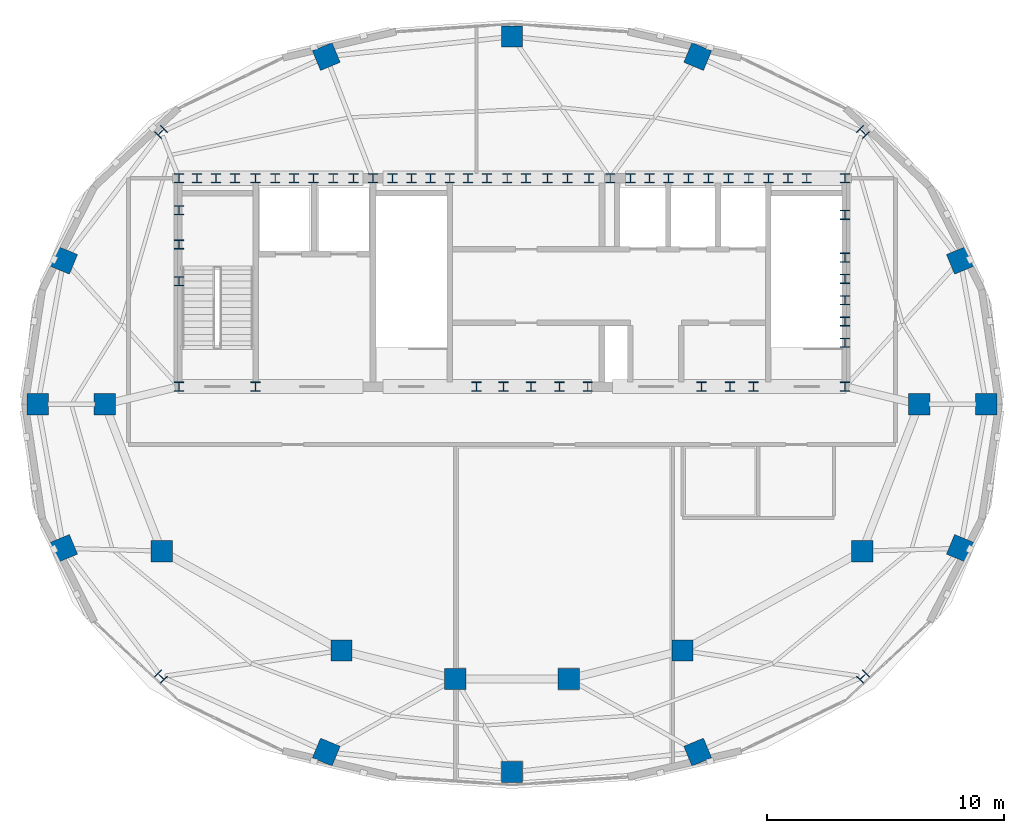
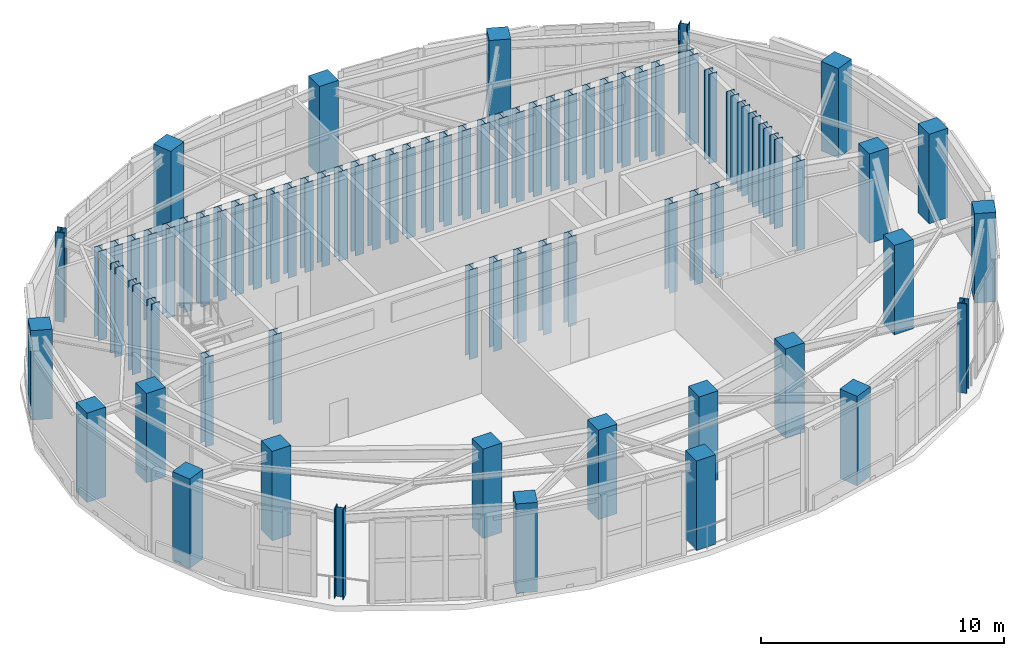
# One storey, part 1 of 10: 78 columns.
"""IFC4 building model written with IfcOpenShell, lengths in metres."""

from ifc_helpers import new_model, si_unit, direction, frame, origin, origin_2d, place, context, subcontext, project, spatial, rectangle, i_section, extrude, material, material_profile, profile_set, type_object, element, save


model = new_model("IFC4")

# Units and contexts
model_context = context("Model", 3, precision=1e-05, world=origin(), true_north=direction((0.0, 1.0)))
body_context = subcontext(model_context, "Body", "Model", "MODEL_VIEW")
ifc_project = project(units=[si_unit("LENGTHUNIT", "METRE"), si_unit("AREAUNIT", "SQUARE_METRE"), si_unit("VOLUMEUNIT", "CUBIC_METRE"), si_unit("PLANEANGLEUNIT", "RADIAN"), si_unit("MASSUNIT", "GRAM", prefix="KILO")], contexts=[model_context])

# Site, building, storey
site_placement = place(None, origin())
site = spatial("IfcSite", under=ifc_project, at=site_placement, CompositionType="ELEMENT")
building_placement = place(site_placement, origin())
building = spatial("IfcBuilding", under=site, at=building_placement, Name="Haldorwick Loom Tower", CompositionType="ELEMENT")
storey_placement = place(building_placement, frame((0.0, 0.0, 296.0)))
storey = spatial("IfcBuildingStorey", under=building, at=storey_placement, Name="L79", CompositionType="ELEMENT", Elevation=296.0)

# Columns
ifc_material_1 = material(Name="Concrete C50 (50 MPa)", Category="concrete")
ifc_material_profile_1 = material_profile(ifc_material_1, rectangle(XDim=0.89990234375, YDim=0.89990234375, at=origin_2d()), Name="RC900X900", Category="concrete")
ifc_profile_set_1 = profile_set([ifc_material_profile_1], Name="Concrete C50 (50 MPa)")
column_type_1 = type_object("IfcColumnType", Name="STR-COL-RC900", PredefinedType="COLUMN", material=ifc_profile_set_1)
for number, where, z_axis, x_axis, name in (
    (1, (53.199951171875, 26.0, 0.0), (0.0, 0.0, 1.0), (1.0, 0.0, 0.0), "L79 Inner Column IC-01"),
    (2, (50.800048828125, 19.800048828125, 0.0), (0.0, 0.0, 1.0), (1.0, 0.0, 0.0), "L79 Inner Column IC-02"),
    (3, (43.199951171875, 15.60009765625, 0.0), (0.0, 0.0, 1.0), (1.0, 0.0, 0.0), "L79 Inner Column IC-03"),
    (4, (38.39990234375, 14.39990234375, 0.0), (0.0, 0.0, 1.0), (1.0, 0.0, 0.0), "L79 Inner Column IC-04"),
    (5, (33.60009765625, 14.39990234375, 0.0), (0.0, 0.0, 1.0), (1.0, 0.0, 0.0), "L79 Inner Column IC-05"),
    (6, (28.800048828125, 15.60009765625, 0.0), (0.0, 0.0, 1.0), (1.0, 0.0, 0.0), "L79 Inner Column IC-06"),
    (7, (21.199951171875, 19.800048828125, 0.0), (0.0, 0.0, 1.0), (1.0, 0.0, 0.0), "L79 Inner Column IC-07"),
    (8, (18.800048828125, 26.0, 0.0), (0.0, 0.0, 1.0), (1.0, 0.0, 0.0), "L79 Inner Column IC-08"),
    (9, (56.03369140625, 26.0, 0.0), (0.0, 0.0, 1.0), (1.0, 0.0, 0.0), "L79 Perimeter Pier Column P01"),
    (10, (54.939453125, 32.084716796875, 0.0), (0.0, 0.0, 1.0), (0.923879532511, 0.382683432365, 0.0), "L79 Perimeter Pier Column P02"),
    (11, (43.844970703125, 40.689697265625, 0.0), (0.0, 0.0, 1.0), (0.382683432365, 0.923879532511, 0.0), "L79 Perimeter Pier Column P04"),
    (12, (36.0, 41.534912109375, 0.0), (0.0, 0.0, 1.0), (0.0, 1.0, 0.0), "L79 Perimeter Pier Column P05"),
    (13, (28.155029296875, 40.689697265625, 0.0), (0.0, 0.0, 1.0), (-0.382683432365, 0.923879532511, 0.0), "L79 Perimeter Pier Column P06"),
    (14, (17.060546875, 32.084716796875, 0.0), (0.0, 0.0, 1.0), (-0.923879532511, 0.382683432365, 0.0), "L79 Perimeter Pier Column P08"),
    (15, (15.96630859375, 26.0, 0.0), (0.0, 0.0, 1.0), (-1.0, 0.0, 0.0), "L79 Perimeter Pier Column P09"),
    (16, (17.060546875, 19.915283203125, 0.0), (0.0, 0.0, 1.0), (-0.923879532511, -0.382683432365, 0.0), "L79 Perimeter Pier Column P10"),
    (17, (28.155029296875, 11.310302734375, 0.0), (0.0, 0.0, 1.0), (-0.382683432365, -0.923879532511, 0.0), "L79 Perimeter Pier Column P12"),
    (18, (36.0, 10.465087890625, 0.0), (0.0, 0.0, 1.0), (0.0, -1.0, 0.0), "L79 Perimeter Pier Column P13"),
    (19, (43.844970703125, 11.310302734375, 0.0), (0.0, 0.0, 1.0), (0.382683432365, -0.923879532511, 0.0), "L79 Perimeter Pier Column P14"),
    (20, (54.939453125, 19.915283203125, 0.0), (0.0, 0.0, 1.0), (0.923879532511, -0.382683432365, 0.0), "L79 Perimeter Pier Column P16"),
):
    element("IfcColumn", number, at=place(storey_placement, frame(where, z_axis=z_axis, x_axis=x_axis)), inside=storey, type_object=column_type_1, Name=name, PredefinedType="COLUMN", context=body_context, shape_type="SweptSolid", body=[
        extrude(rectangle(XDim=0.89990234375, YDim=0.89990234375, at=origin_2d()), origin(), (0.0, 0.0, 1.0), 4.5),
    ])
ifc_material_2 = material(Name="Steel CSA G40.21 350W", Category="steel")
ifc_material_profile_2 = material_profile(ifc_material_2, i_section(OverallWidth=0.39892578125, OverallDepth=0.39306640625, WebThickness=0.0185546875, FlangeThickness=0.029541015625, at=origin_2d()), Name="W360X287", Category="steel")
ifc_profile_set_2 = profile_set([ifc_material_profile_2], Name="Steel CSA G40.21 350W")
column_type_2 = type_object("IfcColumnType", Name="STR-COL-W360X287", PredefinedType="COLUMN", material=ifc_profile_set_2)
for number, where, z_axis, x_axis, name in (
    (21, (21.929931640625, 35.550048828125, 0.0), (0.0, 0.0, 1.0), (1.0, 0.0, 0.0), "L79 Core Pilaster CB-01"),
    (22, (23.5, 35.550048828125, 0.0), (0.0, 0.0, 1.0), (1.0, 0.0, 0.0), "L79 Core Pilaster CB-02"),
    (23, (25.169921875, 35.550048828125, 0.0), (0.0, 0.0, 1.0), (1.0, 0.0, 0.0), "L79 Core Pilaster CB-03"),
    (24, (26.800048828125, 35.550048828125, 0.0), (0.0, 0.0, 1.0), (1.0, 0.0, 0.0), "L79 Core Pilaster CB-04"),
    (25, (28.449951171875, 35.550048828125, 0.0), (0.0, 0.0, 1.0), (1.0, 0.0, 0.0), "L79 Core Pilaster CB-05"),
    (26, (30.1298828125, 35.550048828125, 0.0), (0.0, 0.0, 1.0), (1.0, 0.0, 0.0), "L79 Core Pilaster CB-06"),
    (27, (31.75, 35.550048828125, 0.0), (0.0, 0.0, 1.0), (1.0, 0.0, 0.0), "L79 Core Pilaster CB-07"),
    (28, (33.3701171875, 35.550048828125, 0.0), (0.0, 0.0, 1.0), (1.0, 0.0, 0.0), "L79 Core Pilaster CB-08"),
    (29, (34.949951171875, 35.550048828125, 0.0), (0.0, 0.0, 1.0), (1.0, 0.0, 0.0), "L79 Core Pilaster CB-09"),
    (30, (36.60009765625, 35.550048828125, 0.0), (0.0, 0.0, 1.0), (1.0, 0.0, 0.0), "L79 Core Pilaster CB-10"),
    (31, (38.35009765625, 35.550048828125, 0.0), (0.0, 0.0, 1.0), (1.0, 0.0, 0.0), "L79 Core Pilaster CB-11"),
    (32, (40.14990234375, 35.550048828125, 0.0), (0.0, 0.0, 1.0), (1.0, 0.0, 0.0), "L79 Core Pilaster CB-12"),
    (33, (41.800048828125, 35.550048828125, 0.0), (0.0, 0.0, 1.0), (1.0, 0.0, 0.0), "L79 Core Pilaster CB-13"),
    (34, (43.449951171875, 35.550048828125, 0.0), (0.0, 0.0, 1.0), (1.0, 0.0, 0.0), "L79 Core Pilaster CB-14"),
    (35, (45.14990234375, 35.550048828125, 0.0), (0.0, 0.0, 1.0), (1.0, 0.0, 0.0), "L79 Core Pilaster CB-15"),
    (36, (46.830078125, 35.550048828125, 0.0), (0.0, 0.0, 1.0), (1.0, 0.0, 0.0), "L79 Core Pilaster CB-16"),
    (37, (48.449951171875, 35.550048828125, 0.0), (0.0, 0.0, 1.0), (1.0, 0.0, 0.0), "L79 Core Pilaster CB-17"),
    (38, (50.070068359375, 35.550048828125, 0.0), (0.0, 0.0, 1.0), (1.0, 0.0, 0.0), "L79 Core Pilaster CB-18"),
    (39, (21.929931640625, 26.75, 0.0), (0.0, 0.0, 1.0), (1.0, 0.0, 0.0), "L79 Core Pilaster CB-19"),
    (40, (25.169921875, 26.75, 0.0), (0.0, 0.0, 1.0), (1.0, 0.0, 0.0), "L79 Core Pilaster CB-20"),
    (41, (34.5, 26.75, 0.0), (0.0, 0.0, 1.0), (1.0, 0.0, 0.0), "L79 Core Pilaster CB-21"),
    (42, (36.800048828125, 26.75, 0.0), (0.0, 0.0, 1.0), (1.0, 0.0, 0.0), "L79 Core Pilaster CB-22"),
    (43, (39.199951171875, 26.75, 0.0), (0.0, 0.0, 1.0), (1.0, 0.0, 0.0), "L79 Core Pilaster CB-23"),
    (44, (45.199951171875, 26.75, 0.0), (0.0, 0.0, 1.0), (1.0, 0.0, 0.0), "L79 Core Pilaster CB-24"),
    (45, (50.070068359375, 26.75, 0.0), (0.0, 0.0, 1.0), (1.0, 0.0, 0.0), "L79 Core Pilaster CB-25"),
    (46, (21.929931640625, 31.199951171875, 0.0), (0.0, 0.0, 1.0), (1.0, 0.0, 0.0), "L79 Core Pilaster CB-26"),
    (47, (21.929931640625, 32.75, 0.0), (0.0, 0.0, 1.0), (1.0, 0.0, 0.0), "L79 Core Pilaster CB-27"),
    (48, (21.929931640625, 34.199951171875, 0.0), (0.0, 0.0, 1.0), (1.0, 0.0, 0.0), "L79 Core Pilaster CB-28"),
    (49, (50.070068359375, 28.60009765625, 0.0), (0.0, 0.0, 1.0), (1.0, 0.0, 0.0), "L79 Core Pilaster CB-29"),
    (50, (50.070068359375, 30.39990234375, 0.0), (0.0, 0.0, 1.0), (1.0, 0.0, 0.0), "L79 Core Pilaster CB-30"),
    (51, (50.070068359375, 32.199951171875, 0.0), (0.0, 0.0, 1.0), (1.0, 0.0, 0.0), "L79 Core Pilaster CB-31"),
    (52, (50.070068359375, 34.0, 0.0), (0.0, 0.0, 1.0), (1.0, 0.0, 0.0), "L79 Core Pilaster CB-32"),
    (53, (22.699951171875, 35.550048828125, 0.0), (0.0, 0.0, 1.0), (1.0, 0.0, 0.0), "L79 Core Pilaster CB-33"),
    (54, (27.6201171875, 35.550048828125, 0.0), (0.0, 0.0, 1.0), (1.0, 0.0, 0.0), "L79 Core Pilaster CB-34"),
    (55, (32.550048828125, 35.550048828125, 0.0), (0.0, 0.0, 1.0), (1.0, 0.0, 0.0), "L79 Core Pilaster CB-35"),
    (56, (37.5, 35.550048828125, 0.0), (0.0, 0.0, 1.0), (1.0, 0.0, 0.0), "L79 Core Pilaster CB-36"),
    (57, (42.6201171875, 35.550048828125, 0.0), (0.0, 0.0, 1.0), (1.0, 0.0, 0.0), "L79 Core Pilaster CB-37"),
    (58, (47.64990234375, 35.550048828125, 0.0), (0.0, 0.0, 1.0), (1.0, 0.0, 0.0), "L79 Core Pilaster CB-38"),
    (59, (24.300048828125, 35.550048828125, 0.0), (0.0, 0.0, 1.0), (1.0, 0.0, 0.0), "L79 Core Pilaster CB-39"),
    (60, (26.0, 35.550048828125, 0.0), (0.0, 0.0, 1.0), (1.0, 0.0, 0.0), "L79 Core Pilaster CB-40"),
    (61, (29.300048828125, 35.550048828125, 0.0), (0.0, 0.0, 1.0), (1.0, 0.0, 0.0), "L79 Core Pilaster CB-41"),
    (62, (30.949951171875, 35.550048828125, 0.0), (0.0, 0.0, 1.0), (1.0, 0.0, 0.0), "L79 Core Pilaster CB-42"),
    (63, (34.14990234375, 35.550048828125, 0.0), (0.0, 0.0, 1.0), (1.0, 0.0, 0.0), "L79 Core Pilaster CB-43"),
    (64, (35.800048828125, 35.550048828125, 0.0), (0.0, 0.0, 1.0), (1.0, 0.0, 0.0), "L79 Core Pilaster CB-44"),
    (65, (39.25, 35.550048828125, 0.0), (0.0, 0.0, 1.0), (1.0, 0.0, 0.0), "L79 Core Pilaster CB-45"),
    (66, (41.0, 35.550048828125, 0.0), (0.0, 0.0, 1.0), (1.0, 0.0, 0.0), "L79 Core Pilaster CB-46"),
    (67, (44.300048828125, 35.550048828125, 0.0), (0.0, 0.0, 1.0), (1.0, 0.0, 0.0), "L79 Core Pilaster CB-47"),
    (68, (46.0, 35.550048828125, 0.0), (0.0, 0.0, 1.0), (1.0, 0.0, 0.0), "L79 Core Pilaster CB-48"),
    (69, (50.070068359375, 29.5, 0.0), (0.0, 0.0, 1.0), (1.0, 0.0, 0.0), "L79 Core Pilaster CB-49"),
    (70, (50.070068359375, 31.300048828125, 0.0), (0.0, 0.0, 1.0), (1.0, 0.0, 0.0), "L79 Core Pilaster CB-50"),
    (71, (35.64990234375, 26.75, 0.0), (0.0, 0.0, 1.0), (1.0, 0.0, 0.0), "L79 Core Pilaster CB-51"),
    (72, (38.0, 26.75, 0.0), (0.0, 0.0, 1.0), (1.0, 0.0, 0.0), "L79 Core Pilaster CB-52"),
    (73, (44.0, 26.75, 0.0), (0.0, 0.0, 1.0), (1.0, 0.0, 0.0), "L79 Core Pilaster CB-53"),
    (74, (46.199951171875, 26.75, 0.0), (0.0, 0.0, 1.0), (1.0, 0.0, 0.0), "L79 Core Pilaster CB-54"),
    (75, (50.825439453125, 37.501220703125, 0.0), (0.0, 0.0, 1.0), (0.707106781187, 0.707106781187, 0.0), "L79 Perimeter Pier Column P03"),
    (76, (21.174560546875, 37.501220703125, 0.0), (0.0, 0.0, 1.0), (-0.707106781187, 0.707106781187, 0.0), "L79 Perimeter Pier Column P07"),
    (77, (21.174560546875, 14.498779296875, 0.0), (0.0, 0.0, 1.0), (-0.707106781187, -0.707106781187, 0.0), "L79 Perimeter Pier Column P11"),
    (78, (50.825439453125, 14.498779296875, 0.0), (0.0, 0.0, 1.0), (0.707106781187, -0.707106781187, 0.0), "L79 Perimeter Pier Column P15"),
):
    element("IfcColumn", number, at=place(storey_placement, frame(where, z_axis=z_axis, x_axis=x_axis)), inside=storey, type_object=column_type_2, Name=name, PredefinedType="COLUMN", context=body_context, shape_type="SweptSolid", body=[
        extrude(i_section(OverallWidth=0.39892578125, OverallDepth=0.39306640625, WebThickness=0.0185546875, FlangeThickness=0.029541015625, at=origin_2d()), origin(), (0.0, 0.0, 1.0), 4.5),
    ])

save(model, "model.ifc")
